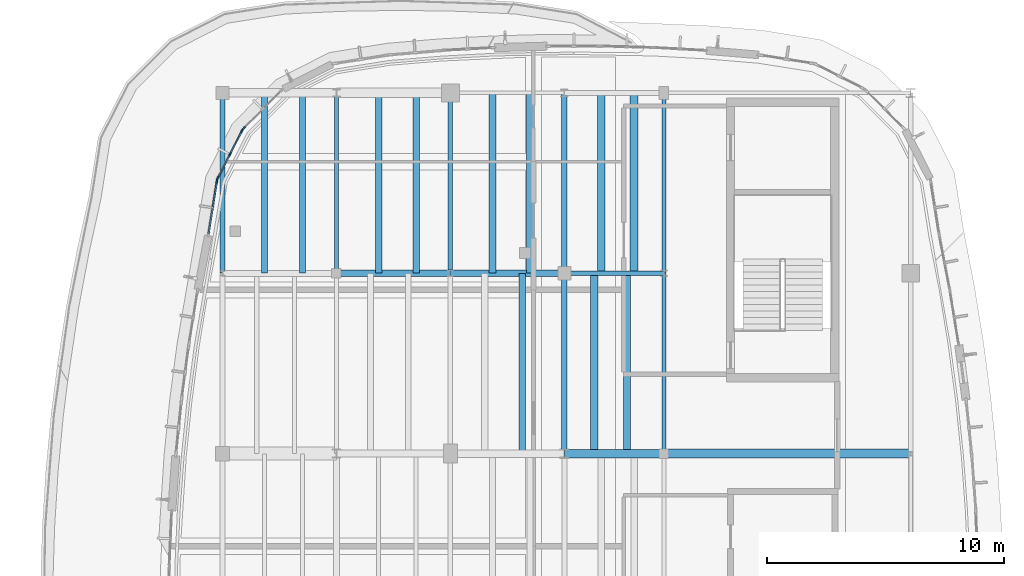
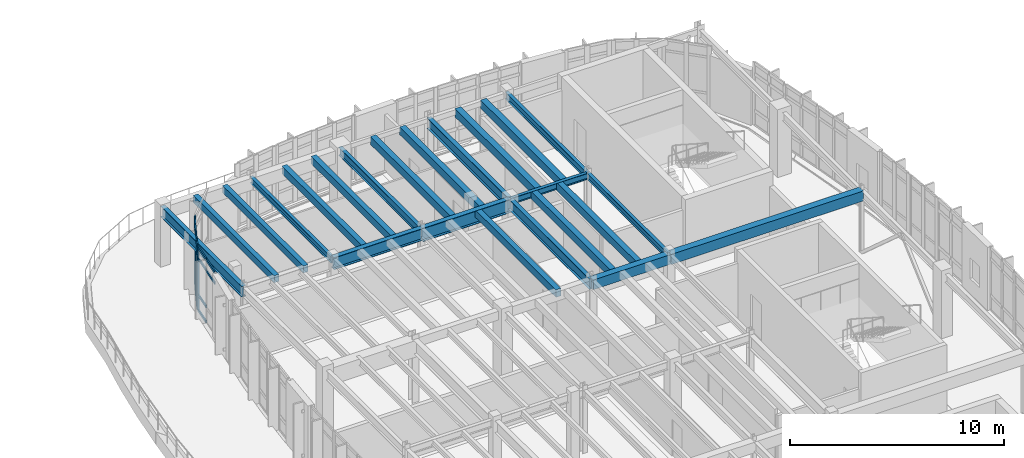
# One storey, part 46 of 105: 23 beams, 19 members, 3 elements without a shape of their own.
"""IFC4 building model written with IfcOpenShell, lengths in metres."""

from ifc_helpers import new_model, si_unit, direction, frame, origin, origin_2d, place, context, subcontext, project, spatial, rectangle, i_section, extrude, material, material_profile, profile_set, type_object, element, aggregate, save


model = new_model("IFC4")

# Units and contexts
model_context = context("Model", 3, precision=1e-05, world=origin(), true_north=direction((0.0, 1.0)))
body_context = subcontext(model_context, "Body", "Model", "MODEL_VIEW")
ifc_project = project(units=[si_unit("LENGTHUNIT", "METRE"), si_unit("AREAUNIT", "SQUARE_METRE"), si_unit("VOLUMEUNIT", "CUBIC_METRE"), si_unit("PLANEANGLEUNIT", "RADIAN"), si_unit("MASSUNIT", "GRAM", prefix="KILO")], contexts=[model_context])

# Site, building, storey
site_placement = place(None, origin())
site = spatial("IfcSite", under=ifc_project, at=site_placement, CompositionType="ELEMENT")
building_placement = place(site_placement, origin())
building = spatial("IfcBuilding", under=site, at=building_placement, Name="Corveleigh Park Community Centre", CompositionType="ELEMENT")
storey_placement = place(building_placement, frame((0.0, 0.0, 8.699951171875)))
storey = spatial("IfcBuildingStorey", under=building, at=storey_placement, Name="L02", CompositionType="ELEMENT", Elevation=8.699951171875)

# Beams
ifc_material_1 = material(Name="Concrete C40/50", Category="concrete")
ifc_material_profile_1 = material_profile(ifc_material_1, rectangle(XDim=0.25, YDim=0.39990234375, at=origin_2d()), Name="RC-250x400", Category="concrete")
ifc_profile_set_1 = profile_set([ifc_material_profile_1], Name="Concrete C40/50")
beam_type_1 = type_object("IfcBeamType", Name="BM-RC-250x400", PredefinedType="JOIST", material=ifc_profile_set_1)
for number, where, z_axis, x_axis, name in (
    (1, (141.176025390625, 96.60498046875, 3.43701171875), (0.0, 1.0, 0.0), (-1.0, 0.0, 0.0), "Secondary floor joist"),
    (2, (142.760009765625, 96.60498046875, 3.43701171875), (0.0, 1.0, 0.0), (-1.0, 0.0, 0.0), "Secondary floor joist"),
):
    element("IfcBeam", number, at=place(storey_placement, frame(where, z_axis=z_axis, x_axis=x_axis)), inside=storey, type_object=beam_type_1, Name=name, PredefinedType="JOIST", context=body_context, shape_type="SweptSolid", body=[
        extrude(rectangle(XDim=0.25, YDim=0.39990234375, at=origin_2d()), origin(), (0.0, 0.0, 1.0), 7.590087890625),
    ])
ifc_material_profile_2 = material_profile(ifc_material_1, rectangle(XDim=0.27490234375, YDim=0.425048828125, at=origin_2d()), Name="RC-275x425", Category="concrete")
ifc_profile_set_2 = profile_set([ifc_material_profile_2], Name="Concrete C40/50")
beam_type_2 = type_object("IfcBeamType", Name="BM-RC-275x425", PredefinedType="JOIST", material=ifc_profile_set_2)
for number, where, z_axis, x_axis, name in (
    (3, (145.97607421875, 96.60498046875, 3.424560546875), (0.0, 1.0, 0.0), (-1.0, 0.0, 0.0), "Secondary floor joist"),
    (4, (147.56005859375, 96.60498046875, 3.424560546875), (0.0, 1.0, 0.0), (-1.0, 0.0, 0.0), "Secondary floor joist"),
    (5, (152.02392578125, 89.0048828125, 3.429443359375), (0.0, 1.0, 0.0), (-1.0, 0.0, 0.0), "Secondary floor joist"),
):
    element("IfcBeam", number, at=place(storey_placement, frame(where, z_axis=z_axis, x_axis=x_axis)), inside=storey, type_object=beam_type_2, Name=name, PredefinedType="JOIST", context=body_context, shape_type="SweptSolid", body=[
        extrude(rectangle(XDim=0.27490234375, YDim=0.425048828125, at=origin_2d()), origin(), (0.0, 0.0, 1.0), 7.590087890625),
    ])
ifc_material_profile_3 = material_profile(ifc_material_1, rectangle(XDim=0.300048828125, YDim=0.449951171875, at=origin_2d()), Name="RC-300x450", Category="concrete")
ifc_profile_set_3 = profile_set([ifc_material_profile_3], Name="Concrete C40/50")
beam_type_3 = type_object("IfcBeamType", Name="BM-RC-300x450", PredefinedType="JOIST", material=ifc_profile_set_3)
for number, where, z_axis, x_axis, name in (
    (6, (150.77587890625, 96.60498046875, 3.4169921875), (0.0, 1.0, 0.0), (-1.0, 0.0, 0.0), "Secondary floor joist"),
    (7, (152.360107421875, 96.60498046875, 3.4169921875), (0.0, 1.0, 0.0), (-1.0, 0.0, 0.0), "Secondary floor joist"),
    (8, (155.06005859375, 89.0048828125, 3.4169921875), (0.0, 1.0, 0.0), (-1.0, 0.0, 0.0), "Secondary floor joist"),
    (9, (156.446044921875, 89.0048828125, 3.4169921875), (0.0, 1.0, 0.0), (-1.0, 0.0, 0.0), "Secondary floor joist"),
):
    element("IfcBeam", number, at=place(storey_placement, frame(where, z_axis=z_axis, x_axis=x_axis)), inside=storey, type_object=beam_type_3, Name=name, PredefinedType="JOIST", context=body_context, shape_type="SweptSolid", body=[
        extrude(rectangle(XDim=0.300048828125, YDim=0.449951171875, at=origin_2d()), origin(), (0.0, 0.0, 1.0), 7.590087890625),
    ])
ifc_material_profile_4 = material_profile(ifc_material_1, rectangle(XDim=0.324951171875, YDim=0.47509765625, at=origin_2d()), Name="RC-325x475", Category="concrete")
ifc_profile_set_4 = profile_set([ifc_material_profile_4], Name="Concrete C40/50")
beam_type_4 = type_object("IfcBeamType", Name="BM-RC-325x475", PredefinedType="JOIST", material=ifc_profile_set_4)
for number, where, z_axis, x_axis, name in (
    (10, (155.35400390625, 96.60498046875, 3.404541015625), (0.0, 1.0, 0.0), (-1.0, 0.0, 0.0), "Secondary floor joist"),
    (11, (156.739990234375, 96.60498046875, 3.404541015625), (0.0, 1.0, 0.0), (-1.0, 0.0, 0.0), "Secondary floor joist"),
):
    element("IfcBeam", number, at=place(storey_placement, frame(where, z_axis=z_axis, x_axis=x_axis)), inside=storey, type_object=beam_type_4, Name=name, PredefinedType="JOIST", context=body_context, shape_type="SweptSolid", body=[
        extrude(rectangle(XDim=0.324951171875, YDim=0.47509765625, at=origin_2d()), origin(), (0.0, 0.0, 1.0), 7.590087890625),
    ])
ifc_material_profile_5 = material_profile(ifc_material_1, rectangle(XDim=0.35009765625, YDim=0.550048828125, at=origin_2d()), Name="RC-350x550", Category="concrete")
ifc_profile_set_5 = profile_set([ifc_material_profile_5], Name="Concrete C40/50")
beam_type_5 = type_object("IfcBeamType", Name="BM-RC-350x550", PredefinedType="BEAM", material=ifc_profile_set_5)
beam_1_placement = place(storey_placement, frame((153.804931640625, 89.0, 3.366943359375), z_axis=(1.0, 0.0, 0.0), x_axis=(0.0, 1.0, 0.0)))
element("IfcBeam", 12, at=beam_1_placement, inside=storey, type_object=beam_type_5, Name="V4 Girder X", PredefinedType="BEAM", context=body_context, shape_type="SweptSolid", body=[
    extrude(rectangle(XDim=0.35009765625, YDim=0.550048828125, at=origin_2d()), origin(), (0.0, 0.0, 1.0), 4.190185546875),
])
ifc_material_profile_6 = material_profile(ifc_material_1, rectangle(XDim=0.375, YDim=0.574951171875, at=origin_2d()), Name="RC-375x575", Category="concrete")
ifc_profile_set_6 = profile_set([ifc_material_profile_6], Name="Concrete C40/50")
beam_type_6 = type_object("IfcBeamType", Name="BM-RC-375x575", PredefinedType="BEAM", material=ifc_profile_set_6)
beam_2_placement = place(storey_placement, frame((158.0048828125, 89.0, 3.3544921875), z_axis=(1.0, 0.0, 0.0), x_axis=(0.0, 1.0, 0.0)))
element("IfcBeam", 13, at=beam_2_placement, inside=storey, type_object=beam_type_6, Name="V4 Girder X", PredefinedType="BEAM", context=body_context, shape_type="SweptSolid", body=[
    extrude(rectangle(XDim=0.375, YDim=0.574951171875, at=origin_2d()), origin(), (0.0, 0.0, 1.0), 10.39013671875),
])
ifc_material_2 = material(Name="Steel S355", Category="steel")
ifc_material_profile_7 = material_profile(ifc_material_2, i_section(OverallWidth=0.172119140625, OverallDepth=0.35791015625, WebThickness=0.008056640625, FlangeThickness=0.012939453125, at=origin_2d()), Name="UKB 356x171x57", Category="steel")
ifc_profile_set_7 = profile_set([ifc_material_profile_7], Name="Steel S355")
beam_type_7 = type_object("IfcBeamType", Name="BM-STL-UKB356x57", PredefinedType="BEAM", material=ifc_profile_set_7)
beam_3_placement = place(storey_placement, frame((153.804931640625, 96.60009765625, 3.463134765625), z_axis=(1.0, 0.0, 0.0), x_axis=(0.0, 1.0, 0.0)))
element("IfcBeam", 14, at=beam_3_placement, inside=storey, type_object=beam_type_7, Name="V4 Girder X", PredefinedType="BEAM", context=body_context, shape_type="SweptSolid", body=[
    extrude(i_section(OverallWidth=0.172119140625, OverallDepth=0.35791015625, WebThickness=0.008056640625, FlangeThickness=0.012939453125, at=origin_2d()), origin(), (0.0, 0.0, 1.0), 4.190185546875),
])
ifc_material_profile_8 = material_profile(ifc_material_2, i_section(OverallWidth=0.173095703125, OverallDepth=0.36328125, WebThickness=0.009033203125, FlangeThickness=0.015625, at=origin_2d()), Name="UKB 356x171x67", Category="steel")
ifc_profile_set_8 = profile_set([ifc_material_profile_8], Name="Steel S355")
beam_type_8 = type_object("IfcBeamType", Name="BM-STL-UKB356x67", PredefinedType="BEAM", material=ifc_profile_set_8)
for number, where, z_axis, x_axis, name in (
    (15, (144.199951171875, 96.60498046875, 3.455322265625), (0.0, 1.0, 0.0), (-1.0, 0.0, 0.0), "V4 Girder Y"),
    (16, (158.0, 89.0048828125, 3.46044921875), (0.0, 1.0, 0.0), (-1.0, 0.0, 0.0), "V4 Girder Y"),
):
    element("IfcBeam", number, at=place(storey_placement, frame(where, z_axis=z_axis, x_axis=x_axis)), inside=storey, type_object=beam_type_8, Name=name, PredefinedType="BEAM", context=body_context, shape_type="SweptSolid", body=[
        extrude(i_section(OverallWidth=0.173095703125, OverallDepth=0.36328125, WebThickness=0.009033203125, FlangeThickness=0.015625, at=origin_2d()), origin(), (0.0, 0.0, 1.0), 7.590087890625),
    ])
ifc_material_profile_9 = material_profile(ifc_material_2, i_section(OverallWidth=0.177978515625, OverallDepth=0.406494140625, WebThickness=0.0078125, FlangeThickness=0.0126953125, at=origin_2d()), Name="UKB 406x178x60", Category="steel")
ifc_profile_set_9 = profile_set([ifc_material_profile_9], Name="Steel S355")
beam_type_9 = type_object("IfcBeamType", Name="BM-STL-UKB406x60", PredefinedType="BEAM", material=ifc_profile_set_9)
beam_4_placement = place(storey_placement, frame((158.0, 96.60498046875, 3.43896484375), z_axis=(0.0, 1.0, 0.0), x_axis=(-1.0, 0.0, 0.0)))
element("IfcBeam", 17, at=beam_4_placement, inside=storey, type_object=beam_type_9, Name="V4 Girder Y", PredefinedType="BEAM", context=body_context, shape_type="SweptSolid", body=[
    extrude(i_section(OverallWidth=0.177978515625, OverallDepth=0.406494140625, WebThickness=0.0078125, FlangeThickness=0.0126953125, at=origin_2d()), origin(), (0.0, 0.0, 1.0), 7.590087890625),
])
ifc_material_profile_10 = material_profile(ifc_material_2, i_section(OverallWidth=0.19140625, OverallDepth=0.4599609375, WebThickness=0.010009765625, FlangeThickness=0.01611328125, at=origin_2d()), Name="UKB 457x191x82", Category="steel")
ifc_profile_set_10 = profile_set([ifc_material_profile_10], Name="Steel S355")
beam_type_10 = type_object("IfcBeamType", Name="BM-STL-UKB457x82", PredefinedType="BEAM", material=ifc_profile_set_10)
beam_5_placement = place(storey_placement, frame((149.0, 96.60498046875, 3.412109375), z_axis=(0.0, 1.0, 0.0), x_axis=(-1.0, 0.0, 0.0)))
element("IfcBeam", 18, at=beam_5_placement, inside=storey, type_object=beam_type_10, Name="V4 Girder Y", PredefinedType="BEAM", context=body_context, shape_type="SweptSolid", body=[
    extrude(i_section(OverallWidth=0.19140625, OverallDepth=0.4599609375, WebThickness=0.010009765625, FlangeThickness=0.01611328125, at=origin_2d()), origin(), (0.0, 0.0, 1.0), 7.590087890625),
])
ifc_material_profile_11 = material_profile(ifc_material_2, i_section(OverallWidth=0.228271484375, OverallDepth=0.607666015625, WebThickness=0.010986328125, FlangeThickness=0.017333984375, at=origin_2d()), Name="UKB 610x229x113", Category="steel")
ifc_profile_set_11 = profile_set([ifc_material_profile_11], Name="Steel S355")
beam_type_11 = type_object("IfcBeamType", Name="BM-STL-UKB610x113", PredefinedType="BEAM", material=ifc_profile_set_11)
for number, where, z_axis, x_axis, name in (
    (19, (139.39990234375, 96.60498046875, 3.333251953125), (0.0, 1.0, 0.0), (-1.0, 0.0, 0.0), "V4 Girder Y"),
    (20, (153.800048828125, 89.0048828125, 3.338134765625), (0.0, 1.0, 0.0), (-1.0, 0.0, 0.0), "V4 Girder Y"),
):
    element("IfcBeam", number, at=place(storey_placement, frame(where, z_axis=z_axis, x_axis=x_axis)), inside=storey, type_object=beam_type_11, Name=name, PredefinedType="BEAM", context=body_context, shape_type="SweptSolid", body=[
        extrude(i_section(OverallWidth=0.228271484375, OverallDepth=0.607666015625, WebThickness=0.010986328125, FlangeThickness=0.017333984375, at=origin_2d()), origin(), (0.0, 0.0, 1.0), 7.590087890625),
    ])
ifc_material_profile_12 = material_profile(ifc_material_2, i_section(OverallWidth=0.22900390625, OverallDepth=0.6123046875, WebThickness=0.011962890625, FlangeThickness=0.01953125, at=origin_2d()), Name="UKB 610x229x125", Category="steel")
ifc_profile_set_12 = profile_set([ifc_material_profile_12], Name="Steel S355")
beam_type_12 = type_object("IfcBeamType", Name="BM-STL-UKB610x125", PredefinedType="BEAM", material=ifc_profile_set_12)
beam_6_placement = place(storey_placement, frame((153.800048828125, 96.60498046875, 3.3359375), z_axis=(0.0, 1.0, 0.0), x_axis=(-1.0, 0.0, 0.0)))
element("IfcBeam", 21, at=beam_6_placement, inside=storey, type_object=beam_type_12, Name="V4 Girder Y", PredefinedType="BEAM", context=body_context, shape_type="SweptSolid", body=[
    extrude(i_section(OverallWidth=0.22900390625, OverallDepth=0.6123046875, WebThickness=0.011962890625, FlangeThickness=0.01953125, at=origin_2d()), origin(), (0.0, 0.0, 1.0), 7.590087890625),
])
ifc_material_profile_13 = material_profile(ifc_material_2, i_section(OverallWidth=0.25439453125, OverallDepth=0.6875, WebThickness=0.01318359375, FlangeThickness=0.02099609375, at=origin_2d()), Name="UKB 686x254x152", Category="steel")
ifc_profile_set_13 = profile_set([ifc_material_profile_13], Name="Steel S355")
beam_type_13 = type_object("IfcBeamType", Name="BM-STL-UKB686x152", PredefinedType="BEAM", material=ifc_profile_set_13)
beam_7_placement = place(storey_placement, frame((144.205078125, 96.60009765625, 3.29833984375), z_axis=(1.0, 0.0, 0.0), x_axis=(0.0, 1.0, 0.0)))
element("IfcBeam", 22, at=beam_7_placement, inside=storey, type_object=beam_type_13, Name="V4 Girder X", PredefinedType="BEAM", context=body_context, shape_type="SweptSolid", body=[
    extrude(i_section(OverallWidth=0.25439453125, OverallDepth=0.6875, WebThickness=0.01318359375, FlangeThickness=0.02099609375, at=origin_2d()), origin(), (0.0, 0.0, 1.0), 4.7900390625),
])
ifc_material_profile_14 = material_profile(ifc_material_2, i_section(OverallWidth=0.2666015625, OverallDepth=0.76220703125, WebThickness=0.014404296875, FlangeThickness=0.021484375, at=origin_2d()), Name="UKB 762x267x173", Category="steel")
ifc_profile_set_14 = profile_set([ifc_material_profile_14], Name="Steel S355")
beam_type_14 = type_object("IfcBeamType", Name="BM-STL-UKB762x173", PredefinedType="BEAM", material=ifc_profile_set_14)
beam_8_placement = place(storey_placement, frame((149.0048828125, 96.60009765625, 3.260986328125), z_axis=(1.0, 0.0, 0.0), x_axis=(0.0, 1.0, 0.0)))
element("IfcBeam", 23, at=beam_8_placement, inside=storey, type_object=beam_type_14, Name="V4 Girder X", PredefinedType="BEAM", context=body_context, shape_type="SweptSolid", body=[
    extrude(i_section(OverallWidth=0.2666015625, OverallDepth=0.76220703125, WebThickness=0.014404296875, FlangeThickness=0.021484375, at=origin_2d()), origin(), (0.0, 0.0, 1.0), 4.7900390625),
])

# Curtain wall, member
ifc_material_3 = material(Name="Anodised aluminium 6063-T6", Category="aluminium")
curtain_wall_type = type_object("IfcCurtainWallType", Name="CW-SYS-V4-L01", PredefinedType="NOTDEFINED", material=ifc_material_3)
curtain_wall_1_placement = place(storey_placement, origin())
curtain_wall_1 = element("IfcCurtainWall", 24, at=curtain_wall_1_placement, inside=storey, type_object=curtain_wall_type, Name="V4 L02 Curtain Wall 385", PredefinedType="NOTDEFINED")
ifc_material_profile_15 = material_profile(ifc_material_3, rectangle(XDim=0.06005859375, YDim=0.159912109375, at=origin_2d()), Name="ALU-M60x160", Category="aluminium")
ifc_profile_set_15 = profile_set([ifc_material_profile_15], Name="Anodised aluminium 6063-T6")
member_type_1 = type_object("IfcMemberType", Name="CWM-60x160", PredefinedType="MULLION", material=ifc_profile_set_15)
member_1_placement = place(storey_placement, frame((140.29931640625, 102.71533203125, 0.0), z_axis=(0.0, 0.0, 1.0), x_axis=(-0.707106781187, 0.707106781187, 0.0)))
member_1 = element("IfcMember", 25, at=member_1_placement, type_object=member_type_1, Name="CW08 mullion 1", PredefinedType="MULLION", context=body_context, shape_type="SweptSolid", body=[
    extrude(rectangle(XDim=0.06005859375, YDim=0.159912109375, at=origin_2d()), origin(), (0.0, 0.0, 1.0), 3.636962890625),
])
aggregate(curtain_wall_1, [member_1])

# Curtain wall, members
curtain_wall_2_placement = place(storey_placement, origin())
curtain_wall_2 = element("IfcCurtainWall", 26, at=curtain_wall_2_placement, inside=storey, type_object=curtain_wall_type, Name="V4 L02 Curtain Wall 386", PredefinedType="NOTDEFINED")
ifc_material_profile_16 = material_profile(ifc_material_3, rectangle(XDim=0.06494140625, YDim=0.179931640625, at=origin_2d()), Name="ALU-M65x180", Category="aluminium")
ifc_profile_set_16 = profile_set([ifc_material_profile_16], Name="Anodised aluminium 6063-T6")
member_type_2 = type_object("IfcMemberType", Name="CWM-65x180", PredefinedType="MULLION", material=ifc_profile_set_16)
member_2_placement = place(storey_placement, frame((139.203857421875, 100.612060546875, 0.0), z_axis=(0.0, 0.0, 1.0), x_axis=(-0.8909233869, 0.454153628935, 0.0)))
member_2 = element("IfcMember", 27, at=member_2_placement, type_object=member_type_2, Name="CW08 mullion 1", PredefinedType="MULLION", context=body_context, shape_type="SweptSolid", body=[
    extrude(rectangle(XDim=0.06494140625, YDim=0.179931640625, at=origin_2d()), origin(), (0.0, 0.0, 1.0), 3.636962890625),
])
member_3_placement = place(storey_placement, frame((139.71142578125, 101.60791015625, 0.0), z_axis=(0.0, 0.0, 1.0), x_axis=(-0.8909233869, 0.454153628935, 0.0)))
member_3 = element("IfcMember", 28, at=member_3_placement, type_object=member_type_2, Name="CW08 mullion 2", PredefinedType="MULLION", context=body_context, shape_type="SweptSolid", body=[
    extrude(rectangle(XDim=0.06494140625, YDim=0.179931640625, at=origin_2d()), origin(), (0.0, 0.0, 1.0), 3.636962890625),
])
member_4_placement = place(storey_placement, frame((140.21923828125, 102.60400390625, 0.0), z_axis=(0.0, 0.0, 1.0), x_axis=(-0.8909233869, 0.454153628935, 0.0)))
member_4 = element("IfcMember", 29, at=member_4_placement, type_object=member_type_2, Name="CW08 mullion 3", PredefinedType="MULLION", context=body_context, shape_type="SweptSolid", body=[
    extrude(rectangle(XDim=0.06494140625, YDim=0.179931640625, at=origin_2d()), origin(), (0.0, 0.0, 1.0), 3.636962890625),
])

# Curtain wall, member
curtain_wall_3_placement = place(storey_placement, origin())
curtain_wall_3 = element("IfcCurtainWall", 30, at=curtain_wall_3_placement, inside=storey, type_object=curtain_wall_type, Name="V4 L02 Curtain Wall 387", PredefinedType="NOTDEFINED")
ifc_material_profile_17 = material_profile(ifc_material_3, rectangle(XDim=0.070068359375, YDim=0.199951171875, at=origin_2d()), Name="ALU-M70x200", Category="aluminium")
ifc_profile_set_17 = profile_set([ifc_material_profile_17], Name="Anodised aluminium 6063-T6")
member_type_3 = type_object("IfcMemberType", Name="CWM-70x200", PredefinedType="MULLION", material=ifc_profile_set_17)
member_5_placement = place(storey_placement, frame((139.160400390625, 100.476318359375, 0.0), z_axis=(0.0, 0.0, 1.0), x_axis=(-0.987661875101, 0.156601470208, 0.0)))
member_5 = element("IfcMember", 31, at=member_5_placement, type_object=member_type_3, Name="CW08 mullion 3", PredefinedType="MULLION", context=body_context, shape_type="SweptSolid", body=[
    extrude(rectangle(XDim=0.070068359375, YDim=0.199951171875, at=origin_2d()), origin(), (0.0, 0.0, 1.0), 3.636962890625),
])

# Member
ifc_material_profile_18 = material_profile(ifc_material_3, rectangle(XDim=0.06005859375, YDim=0.1201171875, at=origin_2d()), Name="ALU-T60x120", Category="aluminium")
ifc_profile_set_18 = profile_set([ifc_material_profile_18], Name="Anodised aluminium 6063-T6")
member_type_4 = type_object("IfcMemberType", Name="CWT-60x120", PredefinedType="USERDEFINED", material=ifc_profile_set_18)
member_6_placement = place(storey_placement, frame((139.218505859375, 100.640869140625, 0.030029296875), z_axis=(0.454154975374, 0.890922700543, 0.0), x_axis=(-0.890922700543, 0.454154975374, 0.0)))
member_6 = element("IfcMember", 32, at=member_6_placement, type_object=member_type_4, Name="CW08 transom 1.1", ObjectType="TRANSOM", PredefinedType="USERDEFINED", context=body_context, shape_type="SweptSolid", body=[
    extrude(rectangle(XDim=0.06005859375, YDim=0.1201171875, at=origin_2d()), origin(), (0.0, 0.0, 1.0), 1.05322265625),
])

member_7_placement = place(storey_placement, frame((139.218505859375, 100.640869140625, 0.900146484375), z_axis=(0.454154975374, 0.890922700543, 0.0), x_axis=(-0.890922700543, 0.454154975374, 0.0)))
member_7 = element("IfcMember", 33, at=member_7_placement, type_object=member_type_4, Name="CW08 transom 1.2", ObjectType="TRANSOM", PredefinedType="USERDEFINED", context=body_context, shape_type="SweptSolid", body=[
    extrude(rectangle(XDim=0.06005859375, YDim=0.1201171875, at=origin_2d()), origin(), (0.0, 0.0, 1.0), 1.05322265625),
])

member_8_placement = place(storey_placement, frame((139.218505859375, 100.640869140625, 2.987060546875), z_axis=(0.454154975374, 0.890922700543, 0.0), x_axis=(-0.890922700543, 0.454154975374, 0.0)))
member_8 = element("IfcMember", 34, at=member_8_placement, type_object=member_type_4, Name="CW08 transom 1.3", ObjectType="TRANSOM", PredefinedType="USERDEFINED", context=body_context, shape_type="SweptSolid", body=[
    extrude(rectangle(XDim=0.06005859375, YDim=0.1201171875, at=origin_2d()), origin(), (0.0, 0.0, 1.0), 1.05322265625),
])

member_9_placement = place(storey_placement, frame((139.218505859375, 100.640869140625, 3.60693359375), z_axis=(0.454154975374, 0.890922700543, 0.0), x_axis=(-0.890922700543, 0.454154975374, 0.0)))
member_9 = element("IfcMember", 35, at=member_9_placement, type_object=member_type_4, Name="CW08 transom 1.4", ObjectType="TRANSOM", PredefinedType="USERDEFINED", context=body_context, shape_type="SweptSolid", body=[
    extrude(rectangle(XDim=0.06005859375, YDim=0.1201171875, at=origin_2d()), origin(), (0.0, 0.0, 1.0), 1.05322265625),
])

member_10_placement = place(storey_placement, frame((139.726318359375, 101.636962890625, 0.030029296875), z_axis=(0.454154975374, 0.890922700543, 0.0), x_axis=(-0.890922700543, 0.454154975374, 0.0)))
member_10 = element("IfcMember", 36, at=member_10_placement, type_object=member_type_4, Name="CW08 transom 2.1", ObjectType="TRANSOM", PredefinedType="USERDEFINED", context=body_context, shape_type="SweptSolid", body=[
    extrude(rectangle(XDim=0.06005859375, YDim=0.1201171875, at=origin_2d()), origin(), (0.0, 0.0, 1.0), 1.05322265625),
])

member_11_placement = place(storey_placement, frame((139.726318359375, 101.636962890625, 0.900146484375), z_axis=(0.454154975374, 0.890922700543, 0.0), x_axis=(-0.890922700543, 0.454154975374, 0.0)))
member_11 = element("IfcMember", 37, at=member_11_placement, type_object=member_type_4, Name="CW08 transom 2.2", ObjectType="TRANSOM", PredefinedType="USERDEFINED", context=body_context, shape_type="SweptSolid", body=[
    extrude(rectangle(XDim=0.06005859375, YDim=0.1201171875, at=origin_2d()), origin(), (0.0, 0.0, 1.0), 1.05322265625),
])

member_12_placement = place(storey_placement, frame((139.726318359375, 101.636962890625, 2.987060546875), z_axis=(0.454154975374, 0.890922700543, 0.0), x_axis=(-0.890922700543, 0.454154975374, 0.0)))
member_12 = element("IfcMember", 38, at=member_12_placement, type_object=member_type_4, Name="CW08 transom 2.3", ObjectType="TRANSOM", PredefinedType="USERDEFINED", context=body_context, shape_type="SweptSolid", body=[
    extrude(rectangle(XDim=0.06005859375, YDim=0.1201171875, at=origin_2d()), origin(), (0.0, 0.0, 1.0), 1.05322265625),
])

member_13_placement = place(storey_placement, frame((139.726318359375, 101.636962890625, 3.60693359375), z_axis=(0.454154975374, 0.890922700543, 0.0), x_axis=(-0.890922700543, 0.454154975374, 0.0)))
member_13 = element("IfcMember", 39, at=member_13_placement, type_object=member_type_4, Name="CW08 transom 2.4", ObjectType="TRANSOM", PredefinedType="USERDEFINED", context=body_context, shape_type="SweptSolid", body=[
    extrude(rectangle(XDim=0.06005859375, YDim=0.1201171875, at=origin_2d()), origin(), (0.0, 0.0, 1.0), 1.05322265625),
])

aggregate(curtain_wall_2, [member_2, member_3, member_4, member_6, member_7, member_8, member_9, member_10, member_11, member_12, member_13])

ifc_material_profile_19 = material_profile(ifc_material_3, rectangle(XDim=0.06494140625, YDim=0.139892578125, at=origin_2d()), Name="ALU-T65x140", Category="aluminium")
ifc_profile_set_19 = profile_set([ifc_material_profile_19], Name="Anodised aluminium 6063-T6")
member_type_5 = type_object("IfcMemberType", Name="CWT-65x140", PredefinedType="USERDEFINED", material=ifc_profile_set_19)
member_14_placement = place(storey_placement, frame((138.81201171875, 98.278076171875, 2.987060546875), z_axis=(0.156553666304, 0.987669453596, 0.0), x_axis=(-0.987669453596, 0.156553666304, 0.0)))
member_14 = element("IfcMember", 40, at=member_14_placement, type_object=member_type_5, Name="CW08 transom 1.3", ObjectType="TRANSOM", PredefinedType="USERDEFINED", context=body_context, shape_type="SweptSolid", body=[
    extrude(rectangle(XDim=0.06494140625, YDim=0.139892578125, at=origin_2d()), origin(), (0.0, 0.0, 1.0), 1.060546875),
])

member_15_placement = place(storey_placement, frame((138.81201171875, 98.278076171875, 3.6044921875), z_axis=(0.156553666304, 0.987669453596, 0.0), x_axis=(-0.987669453596, 0.156553666304, 0.0)))
member_15 = element("IfcMember", 41, at=member_15_placement, type_object=member_type_5, Name="CW08 transom 1.4", ObjectType="TRANSOM", PredefinedType="USERDEFINED", context=body_context, shape_type="SweptSolid", body=[
    extrude(rectangle(XDim=0.06494140625, YDim=0.139892578125, at=origin_2d()), origin(), (0.0, 0.0, 1.0), 1.060546875),
])

member_16_placement = place(storey_placement, frame((138.989013671875, 99.39453125, 0.032470703125), z_axis=(0.156553666304, 0.987669453596, 0.0), x_axis=(-0.987669453596, 0.156553666304, 0.0)))
member_16 = element("IfcMember", 42, at=member_16_placement, type_object=member_type_5, Name="CW08 transom 2.1", ObjectType="TRANSOM", PredefinedType="USERDEFINED", context=body_context, shape_type="SweptSolid", body=[
    extrude(rectangle(XDim=0.06494140625, YDim=0.139892578125, at=origin_2d()), origin(), (0.0, 0.0, 1.0), 1.060546875),
])

member_17_placement = place(storey_placement, frame((138.989013671875, 99.39453125, 0.900146484375), z_axis=(0.156553666304, 0.987669453596, 0.0), x_axis=(-0.987669453596, 0.156553666304, 0.0)))
member_17 = element("IfcMember", 43, at=member_17_placement, type_object=member_type_5, Name="CW08 transom 2.2", ObjectType="TRANSOM", PredefinedType="USERDEFINED", context=body_context, shape_type="SweptSolid", body=[
    extrude(rectangle(XDim=0.06494140625, YDim=0.139892578125, at=origin_2d()), origin(), (0.0, 0.0, 1.0), 1.060546875),
])

member_18_placement = place(storey_placement, frame((138.989013671875, 99.39453125, 2.987060546875), z_axis=(0.156553666304, 0.987669453596, 0.0), x_axis=(-0.987669453596, 0.156553666304, 0.0)))
member_18 = element("IfcMember", 44, at=member_18_placement, type_object=member_type_5, Name="CW08 transom 2.3", ObjectType="TRANSOM", PredefinedType="USERDEFINED", context=body_context, shape_type="SweptSolid", body=[
    extrude(rectangle(XDim=0.06494140625, YDim=0.139892578125, at=origin_2d()), origin(), (0.0, 0.0, 1.0), 1.060546875),
])

member_19_placement = place(storey_placement, frame((138.989013671875, 99.39453125, 3.6044921875), z_axis=(0.156553666304, 0.987669453596, 0.0), x_axis=(-0.987669453596, 0.156553666304, 0.0)))
member_19 = element("IfcMember", 45, at=member_19_placement, type_object=member_type_5, Name="CW08 transom 2.4", ObjectType="TRANSOM", PredefinedType="USERDEFINED", context=body_context, shape_type="SweptSolid", body=[
    extrude(rectangle(XDim=0.06494140625, YDim=0.139892578125, at=origin_2d()), origin(), (0.0, 0.0, 1.0), 1.060546875),
])

aggregate(curtain_wall_3, [member_5, member_14, member_15, member_16, member_17, member_18, member_19])

save(model, "model.ifc")
